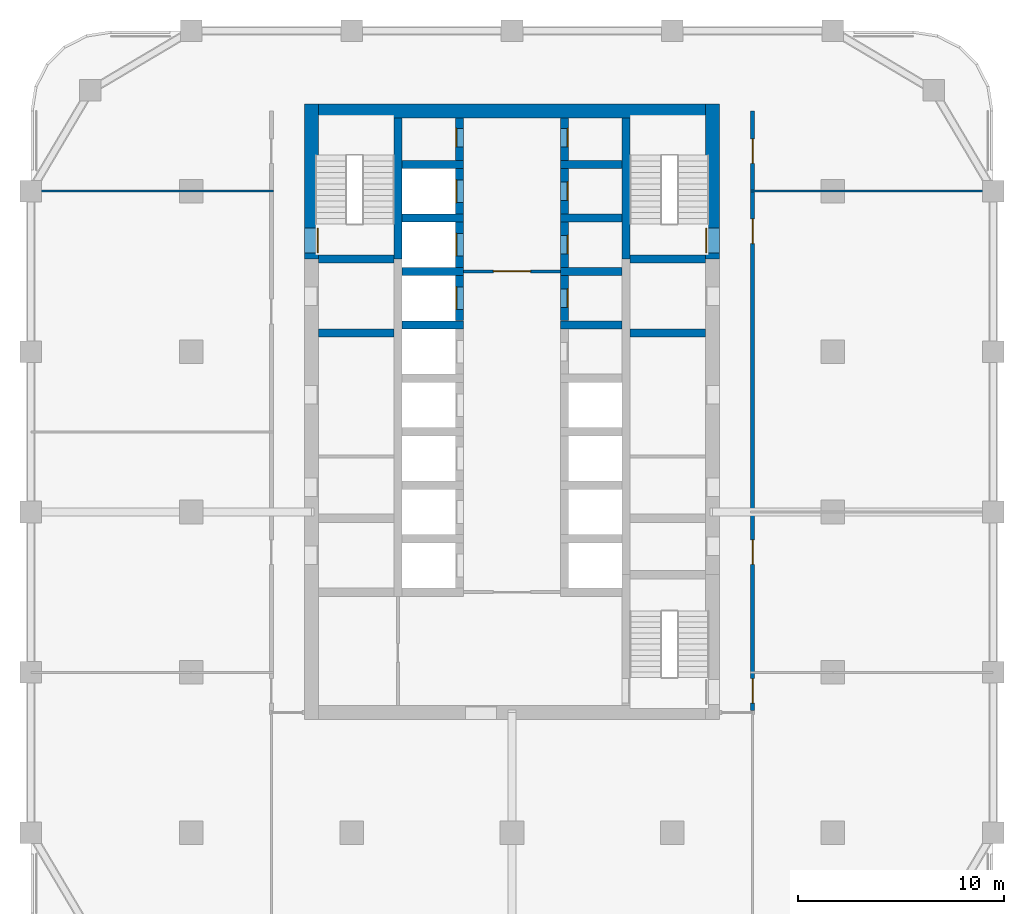
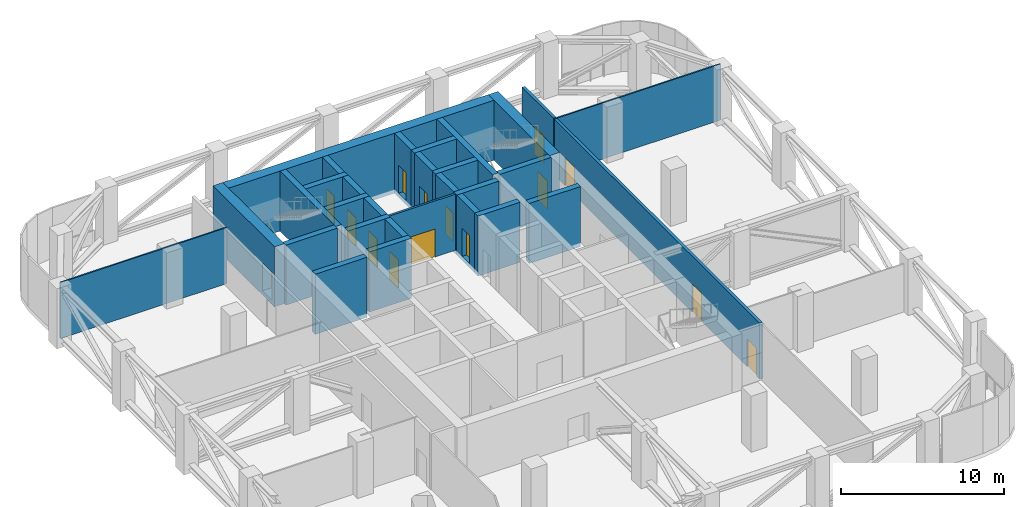
# One storey, part 4 of 8: 29 walls, 15 doors, 15 openings.
"""IFC4 building model written with IfcOpenShell, lengths in metres."""

from ifc_helpers import new_model, si_unit, direction, frame, frame_2d, origin, place, context, subcontext, project, spatial, rectangle, extrude, material, layer, layer_set, type_object, element, fill, save


model = new_model("IFC4")

# Units and contexts
model_context = context("Model", 3, precision=1e-05, world=origin(), true_north=direction((0.0, 1.0)))
body_context = subcontext(model_context, "Body", "Model", "MODEL_VIEW")
ifc_project = project(units=[si_unit("LENGTHUNIT", "METRE"), si_unit("AREAUNIT", "SQUARE_METRE"), si_unit("VOLUMEUNIT", "CUBIC_METRE"), si_unit("PLANEANGLEUNIT", "RADIAN"), si_unit("MASSUNIT", "GRAM", prefix="KILO")], contexts=[model_context])

# Site, building, storey
site_placement = place(None, origin())
site = spatial("IfcSite", under=ifc_project, at=site_placement, CompositionType="ELEMENT")
building_placement = place(site_placement, origin())
building = spatial("IfcBuilding", under=site, at=building_placement, Name="Ludao Terraces", CompositionType="ELEMENT")
storey_placement = place(building_placement, frame((0.0, 0.0, 46.699951171875)))
storey = spatial("IfcBuildingStorey", under=building, at=storey_placement, Name="L12", CompositionType="ELEMENT", Elevation=46.699951171875)

# Wall, opening, door
ifc_material_1 = material(Name="Concrete C70", Category="concrete")
ifc_layer_1 = layer(ifc_material_1, 0.699951171875)
ifc_layer_set_1 = layer_set([ifc_layer_1], Name="Core wall 700 C70")
wall_type_1 = type_object("IfcWallType", Name="Core wall 700 C70", PredefinedType="SOLIDWALL", material=ifc_layer_set_1)
wall_1_placement = place(storey_placement, frame((75.25, 77.300048828125, -0.300048828125), z_axis=(0.0, 0.0, 1.0), x_axis=(0.0, 1.0, 0.0)))
wall_1 = element("IfcWall", 1, at=wall_1_placement, inside=storey, type_object=wall_type_1, Name="Core wall L12 outer-W-S1", PredefinedType="SOLIDWALL", context=body_context, shape_type="SweptSolid", body=[
    extrude(rectangle(XDim=7.550048828125, YDim=0.699951171875, at=frame_2d((3.77490234375, 0.0))), origin(), (0.0, 0.0, 1.0), 4.5),
])
opening_1_placement = place(wall_1_placement, frame((0.300048828125, 0.0, 0.300048828125)))
opening_1 = element("IfcOpeningElement", 2, at=opening_1_placement, cuts=wall_1, Name="Opening L12-032", PredefinedType="OPENING", context=body_context, shape_type="SweptSolid", body=[
    extrude(rectangle(XDim=1.199951171875, YDim=2.10009765625, at=frame_2d((0.60009765625, 1.050048828125))), frame((0.0, 0.35986328125, 0.0), z_axis=(0.0, -1.0, 0.0), x_axis=(1.0, 0.0, 0.0)), (0.0, 0.0, 1.0), 0.719970703125),
])
ifc_material_2 = material(Name="Steel Q235", Category="steel")
door_type_1 = type_object("IfcDoorType", Name="INT Stair door 1200", OperationType="DOUBLE_DOOR_SINGLE_SWING", PredefinedType="DOOR", material=ifc_material_2)
door_1_placement = place(opening_1_placement, origin())
door_1 = element("IfcDoor", 3, at=door_1_placement, inside=storey, type_object=door_type_1, Name="DOOR 032", OperationType="DOUBLE_DOOR_SINGLE_SWING", OverallHeight=2.10009765625, OverallWidth=1.199951171875, PredefinedType="DOOR", context=body_context, shape_type="SweptSolid", body=[
    extrude(rectangle(XDim=1.199951171875, YDim=2.10009765625, at=frame_2d((0.60009765625, 1.050048828125))), frame((0.0, -0.28515625, 0.0), z_axis=(0.0, -1.0, 0.0), x_axis=(1.0, 0.0, 0.0)), (0.0, 0.0, 1.0), 0.050048828125),
])
fill(opening_1, door_1)

wall_2_placement = place(storey_placement, frame((94.75, 77.300048828125, -0.300048828125), z_axis=(0.0, 0.0, 1.0), x_axis=(0.0, 1.0, 0.0)))
wall_2 = element("IfcWall", 4, at=wall_2_placement, inside=storey, type_object=wall_type_1, Name="Core wall L12 outer-E-S2", PredefinedType="SOLIDWALL", context=body_context, shape_type="SweptSolid", body=[
    extrude(rectangle(XDim=7.550048828125, YDim=0.699951171875, at=frame_2d((3.77490234375, 0.0))), origin(), (0.0, 0.0, 1.0), 4.5),
])
opening_2_placement = place(wall_2_placement, frame((0.300048828125, 0.0, 0.300048828125)))
opening_2 = element("IfcOpeningElement", 5, at=opening_2_placement, cuts=wall_2, Name="Opening L12-033", PredefinedType="OPENING", context=body_context, shape_type="SweptSolid", body=[
    extrude(rectangle(XDim=1.199951171875, YDim=2.10009765625, at=frame_2d((0.60009765625, 1.050048828125))), frame((0.0, 0.35986328125, 0.0), z_axis=(0.0, -1.0, 0.0), x_axis=(1.0, 0.0, 0.0)), (0.0, 0.0, 1.0), 0.719970703125),
])
door_2_placement = place(opening_2_placement, origin())
door_2 = element("IfcDoor", 6, at=door_2_placement, inside=storey, type_object=door_type_1, Name="DOOR 033", OperationType="DOUBLE_DOOR_SINGLE_SWING", OverallHeight=2.10009765625, OverallWidth=1.199951171875, PredefinedType="DOOR", context=body_context, shape_type="SweptSolid", body=[
    extrude(rectangle(XDim=1.199951171875, YDim=2.10009765625, at=frame_2d((0.60009765625, 1.050048828125))), frame((0.0, 0.3349609375, 0.0), z_axis=(0.0, -1.0, 0.0), x_axis=(1.0, 0.0, 0.0)), (0.0, 0.0, 1.0), 0.050048828125),
])
fill(opening_2, door_2)

# Wall
wall_3_placement = place(storey_placement, frame((75.60009765625, 84.5, -0.300048828125), z_axis=(0.0, 0.0, 1.0), x_axis=(1.0, 0.0, 0.0)))
element("IfcWall", 7, at=wall_3_placement, inside=storey, type_object=wall_type_1, Name="Core wall L12 outer-N", PredefinedType="SOLIDWALL", context=body_context, shape_type="SweptSolid", body=[
    extrude(rectangle(XDim=18.7998046875, YDim=0.699951171875, at=frame_2d((9.39990234375, 0.0))), origin(), (0.0, 0.0, 1.0), 4.5),
])

# Wall, opening, door
ifc_material_3 = material(Name="Fire-rated gypsum plasterboard", Category="gypsum")
ifc_layer_2 = layer(ifc_material_3, 0.012451171875, Category="gypsum")
ifc_material_4 = material(Name="Mineral wool")
ifc_layer_3 = layer(ifc_material_4, 0.10009765625, Name="insulation")
ifc_layer_4 = layer(ifc_material_2, 0.02490234375, Name="stud")
ifc_layer_5 = layer(ifc_material_3, 0.012451171875, Category="gypsum")
ifc_layer_set_2 = layer_set([ifc_layer_2, ifc_layer_3, ifc_layer_4, ifc_layer_5], Name="INT Core partition 150")
wall_type_2 = type_object("IfcWallType", Name="INT Core partition 150", PredefinedType="PARTITIONING", material=ifc_layer_set_2)
wall_4_placement = place(storey_placement, frame((82.650146484375, 76.699951171875, 0.0), z_axis=(0.0, 0.0, 1.0), x_axis=(1.0, 0.0, 0.0)))
wall_4 = element("IfcWall", 8, at=wall_4_placement, inside=storey, type_object=wall_type_2, Name="PW-L12-PW009", PredefinedType="PARTITIONING", context=body_context, shape_type="SweptSolid", body=[
    extrude(rectangle(XDim=4.699951171875, YDim=0.14990234375, at=frame_2d((2.35009765625, 0.0))), origin(), (0.0, 0.0, 1.0), 4.199951171875),
])
opening_3_placement = place(wall_4_placement, frame((1.449951171875, 0.0, 0.0)))
opening_3 = element("IfcOpeningElement", 9, at=opening_3_placement, cuts=wall_4, Name="Opening L12-029", PredefinedType="OPENING", context=body_context, shape_type="SweptSolid", body=[
    extrude(rectangle(XDim=1.800048828125, YDim=2.10009765625, at=frame_2d((0.89990234375, 1.050048828125))), frame((0.0, 0.0849609375, 0.0), z_axis=(0.0, -1.0, 0.0), x_axis=(1.0, 0.0, 0.0)), (0.0, 0.0, 1.0), 0.169921875),
])
door_type_2 = type_object("IfcDoorType", Name="INT Fire lobby door 1800", OperationType="DOUBLE_DOOR_SINGLE_SWING", PredefinedType="DOOR", material=ifc_material_2)
door_3_placement = place(opening_3_placement, origin())
door_3 = element("IfcDoor", 10, at=door_3_placement, inside=storey, type_object=door_type_2, Name="DOOR 029", OperationType="DOUBLE_DOOR_SINGLE_SWING", OverallHeight=2.10009765625, OverallWidth=1.800048828125, PredefinedType="DOOR", context=body_context, shape_type="SweptSolid", body=[
    extrude(rectangle(XDim=1.800048828125, YDim=2.10009765625, at=frame_2d((0.89990234375, 1.050048828125))), frame((0.0, 0.02490234375, 0.0), z_axis=(0.0, -1.0, 0.0), x_axis=(1.0, 0.0, 0.0)), (0.0, 0.0, 1.0), 0.050048828125),
])
fill(opening_3, door_3)

# Wall, openings, doors
ifc_material_5 = material(Name="Autoclaved aerated concrete block B06 A3.5", Category="concrete")
ifc_layer_6 = layer(ifc_material_5, 0.199951171875)
ifc_layer_set_3 = layer_set([ifc_layer_6], Name="INT Entrance wall 200")
wall_type_3 = type_object("IfcWallType", Name="INT Entrance wall 200", PredefinedType="PARTITIONING", material=ifc_layer_set_3)
wall_5_placement = place(storey_placement, frame((96.699951171875, 55.35009765625, 0.0), z_axis=(0.0, 0.0, 1.0), x_axis=(0.0, 1.0, 0.0)))
wall_5 = element("IfcWall", 11, at=wall_5_placement, inside=storey, type_object=wall_type_3, Name="PW-L12-PW016", PredefinedType="PARTITIONING", context=body_context, shape_type="SweptSolid", body=[
    extrude(rectangle(XDim=29.14990234375, YDim=0.199951171875, at=frame_2d((14.574951171875, 0.0))), origin(), (0.0, 0.0, 1.0), 4.199951171875),
])
opening_4_placement = place(wall_5_placement, frame((0.35009765625, 0.0, 0.0)))
opening_4 = element("IfcOpeningElement", 12, at=opening_4_placement, cuts=wall_5, Name="Opening L12-007", PredefinedType="OPENING", context=body_context, shape_type="SweptSolid", body=[
    extrude(rectangle(XDim=1.199951171875, YDim=2.10009765625, at=frame_2d((0.60009765625, 1.050048828125))), frame((0.0, 0.10986328125, 0.0), z_axis=(0.0, -1.0, 0.0), x_axis=(1.0, 0.0, 0.0)), (0.0, 0.0, 1.0), 0.219970703125),
])
opening_5_placement = place(wall_5_placement, frame((7.10009765625, 0.0, 0.0)))
opening_5 = element("IfcOpeningElement", 13, at=opening_5_placement, cuts=wall_5, Name="Opening L12-013", PredefinedType="OPENING", context=body_context, shape_type="SweptSolid", body=[
    extrude(rectangle(XDim=1.199951171875, YDim=2.10009765625, at=frame_2d((0.60009765625, 1.050048828125))), frame((0.0, 0.10986328125, 0.0), z_axis=(0.0, -1.0, 0.0), x_axis=(1.0, 0.0, 0.0)), (0.0, 0.0, 1.0), 0.219970703125),
])
opening_6_placement = place(wall_5_placement, frame((22.699951171875, 0.0, 0.0)))
opening_6 = element("IfcOpeningElement", 14, at=opening_6_placement, cuts=wall_5, Name="Opening L12-034", PredefinedType="OPENING", context=body_context, shape_type="SweptSolid", body=[
    extrude(rectangle(XDim=1.199951171875, YDim=2.10009765625, at=frame_2d((0.60009765625, 1.050048828125))), frame((0.0, 0.10986328125, 0.0), z_axis=(0.0, -1.0, 0.0), x_axis=(1.0, 0.0, 0.0)), (0.0, 0.0, 1.0), 0.219970703125),
])
opening_7_placement = place(wall_5_placement, frame((26.60009765625, 0.0, 0.0)))
opening_7 = element("IfcOpeningElement", 15, at=opening_7_placement, cuts=wall_5, Name="Opening L12-038", PredefinedType="OPENING", context=body_context, shape_type="SweptSolid", body=[
    extrude(rectangle(XDim=1.199951171875, YDim=2.10009765625, at=frame_2d((0.60009765625, 1.050048828125))), frame((0.0, 0.10986328125, 0.0), z_axis=(0.0, -1.0, 0.0), x_axis=(1.0, 0.0, 0.0)), (0.0, 0.0, 1.0), 0.219970703125),
])
ifc_material_6 = material(Name="Timber door leaf", Category="wood")
door_type_3 = type_object("IfcDoorType", Name="INT Double door 1200", OperationType="DOUBLE_DOOR_SINGLE_SWING", PredefinedType="DOOR", material=ifc_material_6)
door_4_placement = place(opening_4_placement, origin())
door_4 = element("IfcDoor", 16, at=door_4_placement, inside=storey, type_object=door_type_3, Name="DOOR 007", OperationType="DOUBLE_DOOR_SINGLE_SWING", OverallHeight=2.10009765625, OverallWidth=1.199951171875, PredefinedType="DOOR", context=body_context, shape_type="SweptSolid", body=[
    extrude(rectangle(XDim=1.199951171875, YDim=2.10009765625, at=frame_2d((0.60009765625, 1.050048828125))), frame((0.0, 0.02490234375, 0.0), z_axis=(0.0, -1.0, 0.0), x_axis=(1.0, 0.0, 0.0)), (0.0, 0.0, 1.0), 0.050048828125),
])
fill(opening_4, door_4)
door_5_placement = place(opening_5_placement, origin())
door_5 = element("IfcDoor", 17, at=door_5_placement, inside=storey, type_object=door_type_3, Name="DOOR 013", OperationType="DOUBLE_DOOR_SINGLE_SWING", OverallHeight=2.10009765625, OverallWidth=1.199951171875, PredefinedType="DOOR", context=body_context, shape_type="SweptSolid", body=[
    extrude(rectangle(XDim=1.199951171875, YDim=2.10009765625, at=frame_2d((0.60009765625, 1.050048828125))), frame((0.0, 0.02490234375, 0.0), z_axis=(0.0, -1.0, 0.0), x_axis=(1.0, 0.0, 0.0)), (0.0, 0.0, 1.0), 0.050048828125),
])
fill(opening_5, door_5)
door_6_placement = place(opening_6_placement, origin())
door_6 = element("IfcDoor", 18, at=door_6_placement, inside=storey, type_object=door_type_3, Name="DOOR 034", OperationType="DOUBLE_DOOR_SINGLE_SWING", OverallHeight=2.10009765625, OverallWidth=1.199951171875, PredefinedType="DOOR", context=body_context, shape_type="SweptSolid", body=[
    extrude(rectangle(XDim=1.199951171875, YDim=2.10009765625, at=frame_2d((0.60009765625, 1.050048828125))), frame((0.0, 0.02490234375, 0.0), z_axis=(0.0, -1.0, 0.0), x_axis=(1.0, 0.0, 0.0)), (0.0, 0.0, 1.0), 0.050048828125),
])
fill(opening_6, door_6)
door_7_placement = place(opening_7_placement, origin())
door_7 = element("IfcDoor", 19, at=door_7_placement, inside=storey, type_object=door_type_3, Name="DOOR 038", OperationType="DOUBLE_DOOR_SINGLE_SWING", OverallHeight=2.10009765625, OverallWidth=1.199951171875, PredefinedType="DOOR", context=body_context, shape_type="SweptSolid", body=[
    extrude(rectangle(XDim=1.199951171875, YDim=2.10009765625, at=frame_2d((0.60009765625, 1.050048828125))), frame((0.0, 0.02490234375, 0.0), z_axis=(0.0, -1.0, 0.0), x_axis=(1.0, 0.0, 0.0)), (0.0, 0.0, 1.0), 0.050048828125),
])
fill(opening_7, door_7)

# Walls
ifc_material_7 = material(Name="Gypsum plasterboard", Category="gypsum")
ifc_layer_7 = layer(ifc_material_7, 0.012451171875, Category="gypsum")
ifc_layer_8 = layer(ifc_material_4, 0.06005859375, Name="insulation")
ifc_layer_9 = layer(ifc_material_2, 0.014892578125, Name="stud")
ifc_layer_10 = layer(ifc_material_7, 0.012451171875, Category="gypsum")
ifc_layer_set_4 = layer_set([ifc_layer_7, ifc_layer_8, ifc_layer_9, ifc_layer_10], Name="INT Partition 100")
wall_type_4 = type_object("IfcWallType", Name="INT Partition 100", PredefinedType="PARTITIONING", material=ifc_layer_set_4)
for number, where, z_axis, x_axis, name in (
    (20, (61.60009765625, 80.60009765625, 0.0), (0.0, 0.0, 1.0), (1.0, 0.0, 0.0), "PW-L12-PW010"),
    (21, (96.60009765625, 80.60009765625, 0.0), (0.0, 0.0, 1.0), (1.0, 0.0, 0.0), "PW-L12-PW011"),
):
    element("IfcWall", number, at=place(storey_placement, frame(where, z_axis=z_axis, x_axis=x_axis)), inside=storey, type_object=wall_type_4, Name=name, PredefinedType="PARTITIONING", context=body_context, shape_type="SweptSolid", body=[
        extrude(rectangle(XDim=11.800048828125, YDim=0.10009765625, at=frame_2d((5.89990234375, 0.0))), origin(), (0.0, 0.0, 1.0), 4.199951171875),
    ])
ifc_material_8 = material(Name="Concrete C60", Category="concrete")
ifc_layer_11 = layer(ifc_material_8, 0.39990234375)
ifc_layer_set_5 = layer_set([ifc_layer_11], Name="Shaft wall 400 C60")
wall_type_5 = type_object("IfcWallType", Name="Shaft wall 400 C60", PredefinedType="SOLIDWALL", material=ifc_layer_set_5)
for number, where, z_axis, x_axis, name in (
    (22, (79.449951171875, 77.300048828125, -0.300048828125), (0.0, 0.0, 1.0), (0.0, 1.0, 0.0), "Core wall L12 back-W-S1"),
    (23, (90.550048828125, 77.300048828125, -0.300048828125), (0.0, 0.0, 1.0), (0.0, 1.0, 0.0), "Core wall L12 back-E-S2"),
):
    element("IfcWall", number, at=place(storey_placement, frame(where, z_axis=z_axis, x_axis=x_axis)), inside=storey, type_object=wall_type_5, Name=name, PredefinedType="SOLIDWALL", context=body_context, shape_type="SweptSolid", body=[
        extrude(rectangle(XDim=6.849853515625, YDim=0.39990234375, at=frame_2d((3.4248046875, 0.0))), origin(), (0.0, 0.0, 1.0), 4.5),
    ])
wall_6_placement = place(storey_placement, frame((79.64990234375, 74.10009765625, -0.300048828125), z_axis=(0.0, 0.0, 1.0), x_axis=(1.0, 0.0, 0.0)))
element("IfcWall", 24, at=wall_6_placement, inside=storey, type_object=wall_type_5, Name="Core wall L12 div-W6", PredefinedType="SOLIDWALL", context=body_context, shape_type="SweptSolid", body=[
    extrude(rectangle(XDim=3.0, YDim=0.39990234375, at=frame_2d((1.5, 0.0))), origin(), (0.0, 0.0, 1.0), 4.5),
])

# Wall, opening, door
wall_7_placement = place(storey_placement, frame((82.449951171875, 74.300048828125, -0.300048828125), z_axis=(0.0, 0.0, 1.0), x_axis=(0.0, 1.0, 0.0)))
wall_7 = element("IfcWall", 25, at=wall_7_placement, inside=storey, type_object=wall_type_5, Name="Core wall L12 front-W6", PredefinedType="SOLIDWALL", context=body_context, shape_type="SweptSolid", body=[
    extrude(rectangle(XDim=2.199951171875, YDim=0.39990234375, at=frame_2d((1.10009765625, 0.0))), origin(), (0.0, 0.0, 1.0), 4.5),
])
opening_8_placement = place(wall_7_placement, frame((0.550048828125, 0.0, 0.300048828125)))
opening_8 = element("IfcOpeningElement", 26, at=opening_8_placement, cuts=wall_7, Name="Opening LD-LA6", PredefinedType="OPENING", context=body_context, shape_type="SweptSolid", body=[
    extrude(rectangle(XDim=1.10009765625, YDim=2.10009765625, at=frame_2d((0.550048828125, 1.050048828125))), frame((0.0, 0.2099609375, 0.0), z_axis=(0.0, -1.0, 0.0), x_axis=(1.0, 0.0, 0.0)), (0.0, 0.0, 1.0), 0.419921875),
])
ifc_material_9 = material(Name="Stainless steel 304", Category="steel")
door_type_4 = type_object("IfcDoorType", Name="INT Lift landing door 1100", OperationType="SLIDING_TO_LEFT", PredefinedType="DOOR", material=ifc_material_9)
door_8_placement = place(opening_8_placement, origin())
door_8 = element("IfcDoor", 27, at=door_8_placement, inside=storey, type_object=door_type_4, Name="LANDING DOOR LA6 L12", OperationType="SLIDING_TO_LEFT", OverallHeight=2.10009765625, OverallWidth=1.10009765625, PredefinedType="DOOR", context=body_context, shape_type="SweptSolid", body=[
    extrude(rectangle(XDim=1.10009765625, YDim=2.10009765625, at=frame_2d((0.550048828125, 1.050048828125))), frame((0.0, 0.18505859375, 0.0), z_axis=(0.0, -1.0, 0.0), x_axis=(1.0, 0.0, 0.0)), (0.0, 0.0, 1.0), 0.050048828125),
])
fill(opening_8, door_8)

# Wall
wall_8_placement = place(storey_placement, frame((79.64990234375, 76.699951171875, -0.300048828125), z_axis=(0.0, 0.0, 1.0), x_axis=(1.0, 0.0, 0.0)))
element("IfcWall", 28, at=wall_8_placement, inside=storey, type_object=wall_type_5, Name="Core wall L12 div-W7", PredefinedType="SOLIDWALL", context=body_context, shape_type="SweptSolid", body=[
    extrude(rectangle(XDim=3.0, YDim=0.39990234375, at=frame_2d((1.5, 0.0))), origin(), (0.0, 0.0, 1.0), 4.5),
])

# Wall, opening, door
wall_9_placement = place(storey_placement, frame((82.449951171875, 76.89990234375, -0.300048828125), z_axis=(0.0, 0.0, 1.0), x_axis=(0.0, 1.0, 0.0)))
wall_9 = element("IfcWall", 29, at=wall_9_placement, inside=storey, type_object=wall_type_5, Name="Core wall L12 front-W7", PredefinedType="SOLIDWALL", context=body_context, shape_type="SweptSolid", body=[
    extrude(rectangle(XDim=2.2001953125, YDim=0.39990234375, at=frame_2d((1.10009765625, 0.0))), origin(), (0.0, 0.0, 1.0), 4.5),
])
opening_9_placement = place(wall_9_placement, frame((0.550048828125, 0.0, 0.300048828125)))
opening_9 = element("IfcOpeningElement", 30, at=opening_9_placement, cuts=wall_9, Name="Opening LD-FF1", PredefinedType="OPENING", context=body_context, shape_type="SweptSolid", body=[
    extrude(rectangle(XDim=1.10009765625, YDim=2.10009765625, at=frame_2d((0.550048828125, 1.050048828125))), frame((0.0, 0.2099609375, 0.0), z_axis=(0.0, -1.0, 0.0), x_axis=(1.0, 0.0, 0.0)), (0.0, 0.0, 1.0), 0.419921875),
])
door_9_placement = place(opening_9_placement, origin())
door_9 = element("IfcDoor", 31, at=door_9_placement, inside=storey, type_object=door_type_4, Name="LANDING DOOR FF1 L12", OperationType="SLIDING_TO_LEFT", OverallHeight=2.10009765625, OverallWidth=1.10009765625, PredefinedType="DOOR", context=body_context, shape_type="SweptSolid", body=[
    extrude(rectangle(XDim=1.10009765625, YDim=2.10009765625, at=frame_2d((0.550048828125, 1.050048828125))), frame((0.0, 0.18505859375, 0.0), z_axis=(0.0, -1.0, 0.0), x_axis=(1.0, 0.0, 0.0)), (0.0, 0.0, 1.0), 0.050048828125),
])
fill(opening_9, door_9)

# Wall
wall_10_placement = place(storey_placement, frame((79.64990234375, 79.300048828125, -0.300048828125), z_axis=(0.0, 0.0, 1.0), x_axis=(1.0, 0.0, 0.0)))
element("IfcWall", 32, at=wall_10_placement, inside=storey, type_object=wall_type_5, Name="Core wall L12 div-W8", PredefinedType="SOLIDWALL", context=body_context, shape_type="SweptSolid", body=[
    extrude(rectangle(XDim=3.0, YDim=0.39990234375, at=frame_2d((1.5, 0.0))), origin(), (0.0, 0.0, 1.0), 4.5),
])

# Wall, opening, door
wall_11_placement = place(storey_placement, frame((82.449951171875, 79.5, -0.300048828125), z_axis=(0.0, 0.0, 1.0), x_axis=(0.0, 1.0, 0.0)))
wall_11 = element("IfcWall", 33, at=wall_11_placement, inside=storey, type_object=wall_type_5, Name="Core wall L12 front-W8", PredefinedType="SOLIDWALL", context=body_context, shape_type="SweptSolid", body=[
    extrude(rectangle(XDim=2.199951171875, YDim=0.39990234375, at=frame_2d((1.10009765625, 0.0))), origin(), (0.0, 0.0, 1.0), 4.5),
])
opening_10_placement = place(wall_11_placement, frame((0.550048828125, 0.0, 0.300048828125)))
opening_10 = element("IfcOpeningElement", 34, at=opening_10_placement, cuts=wall_11, Name="Opening LD-FF2", PredefinedType="OPENING", context=body_context, shape_type="SweptSolid", body=[
    extrude(rectangle(XDim=1.10009765625, YDim=2.10009765625, at=frame_2d((0.550048828125, 1.050048828125))), frame((0.0, 0.2099609375, 0.0), z_axis=(0.0, -1.0, 0.0), x_axis=(1.0, 0.0, 0.0)), (0.0, 0.0, 1.0), 0.419921875),
])
door_10_placement = place(opening_10_placement, origin())
door_10 = element("IfcDoor", 35, at=door_10_placement, inside=storey, type_object=door_type_4, Name="LANDING DOOR FF2 L12", OperationType="SLIDING_TO_LEFT", OverallHeight=2.10009765625, OverallWidth=1.10009765625, PredefinedType="DOOR", context=body_context, shape_type="SweptSolid", body=[
    extrude(rectangle(XDim=1.10009765625, YDim=2.10009765625, at=frame_2d((0.550048828125, 1.050048828125))), frame((0.0, 0.18505859375, 0.0), z_axis=(0.0, -1.0, 0.0), x_axis=(1.0, 0.0, 0.0)), (0.0, 0.0, 1.0), 0.050048828125),
])
fill(opening_10, door_10)

# Wall
wall_12_placement = place(storey_placement, frame((79.64990234375, 81.89990234375, -0.300048828125), z_axis=(0.0, 0.0, 1.0), x_axis=(1.0, 0.0, 0.0)))
element("IfcWall", 36, at=wall_12_placement, inside=storey, type_object=wall_type_5, Name="Core wall L12 div-W9", PredefinedType="SOLIDWALL", context=body_context, shape_type="SweptSolid", body=[
    extrude(rectangle(XDim=3.0, YDim=0.39990234375, at=frame_2d((1.5, 0.0))), origin(), (0.0, 0.0, 1.0), 4.5),
])

# Wall, opening, door
wall_13_placement = place(storey_placement, frame((82.449951171875, 82.10009765625, -0.300048828125), z_axis=(0.0, 0.0, 1.0), x_axis=(0.0, 1.0, 0.0)))
wall_13 = element("IfcWall", 37, at=wall_13_placement, inside=storey, type_object=wall_type_5, Name="Core wall L12 front-W9", PredefinedType="SOLIDWALL", context=body_context, shape_type="SweptSolid", body=[
    extrude(rectangle(XDim=2.0498046875, YDim=0.39990234375, at=frame_2d((1.02490234375, 0.0))), origin(), (0.0, 0.0, 1.0), 4.5),
])
opening_11_placement = place(wall_13_placement, frame((0.64990234375, 0.0, 0.300048828125)))
opening_11 = element("IfcOpeningElement", 38, at=opening_11_placement, cuts=wall_13, Name="Opening L12-039", PredefinedType="OPENING", context=body_context, shape_type="SweptSolid", body=[
    extrude(rectangle(XDim=0.89990234375, YDim=2.10009765625, at=frame_2d((0.449951171875, 1.050048828125))), frame((0.0, 0.2099609375, 0.0), z_axis=(0.0, -1.0, 0.0), x_axis=(1.0, 0.0, 0.0)), (0.0, 0.0, 1.0), 0.419921875),
])
door_type_5 = type_object("IfcDoorType", Name="INT Room door 900", OperationType="SINGLE_SWING_LEFT", PredefinedType="DOOR", material=ifc_material_6)
door_11_placement = place(opening_11_placement, origin())
door_11 = element("IfcDoor", 39, at=door_11_placement, inside=storey, type_object=door_type_5, Name="DOOR 039", OperationType="SINGLE_SWING_RIGHT", OverallHeight=2.10009765625, OverallWidth=0.89990234375, PredefinedType="DOOR", context=body_context, shape_type="SweptSolid", body=[
    extrude(rectangle(XDim=0.89990234375, YDim=2.10009765625, at=frame_2d((0.449951171875, 1.050048828125))), frame((0.0, 0.18505859375, 0.0), z_axis=(0.0, -1.0, 0.0), x_axis=(1.0, 0.0, 0.0)), (0.0, 0.0, 1.0), 0.050048828125),
])
fill(opening_11, door_11)

# Wall
wall_14_placement = place(storey_placement, frame((87.35009765625, 74.10009765625, -0.300048828125), z_axis=(0.0, 0.0, 1.0), x_axis=(1.0, 0.0, 0.0)))
element("IfcWall", 40, at=wall_14_placement, inside=storey, type_object=wall_type_5, Name="Core wall L12 div-E6", PredefinedType="SOLIDWALL", context=body_context, shape_type="SweptSolid", body=[
    extrude(rectangle(XDim=3.0, YDim=0.39990234375, at=frame_2d((1.5, 0.0))), origin(), (0.0, 0.0, 1.0), 4.5),
])

# Wall, opening, door
wall_15_placement = place(storey_placement, frame((87.550048828125, 74.300048828125, -0.300048828125), z_axis=(0.0, 0.0, 1.0), x_axis=(0.0, 1.0, 0.0)))
wall_15 = element("IfcWall", 41, at=wall_15_placement, inside=storey, type_object=wall_type_5, Name="Core wall L12 front-E6", PredefinedType="SOLIDWALL", context=body_context, shape_type="SweptSolid", body=[
    extrude(rectangle(XDim=2.199951171875, YDim=0.39990234375, at=frame_2d((1.10009765625, 0.0))), origin(), (0.0, 0.0, 1.0), 4.5),
])
opening_12_placement = place(wall_15_placement, frame((0.64990234375, 0.0, 0.300048828125)))
opening_12 = element("IfcOpeningElement", 42, at=opening_12_placement, cuts=wall_15, Name="Opening L12-026", PredefinedType="OPENING", context=body_context, shape_type="SweptSolid", body=[
    extrude(rectangle(XDim=0.89990234375, YDim=2.10009765625, at=frame_2d((0.449951171875, 1.050048828125))), frame((0.0, 0.2099609375, 0.0), z_axis=(0.0, -1.0, 0.0), x_axis=(1.0, 0.0, 0.0)), (0.0, 0.0, 1.0), 0.419921875),
])
door_12_placement = place(opening_12_placement, origin())
door_12 = element("IfcDoor", 43, at=door_12_placement, inside=storey, type_object=door_type_5, Name="DOOR 026", OperationType="SINGLE_SWING_LEFT", OverallHeight=2.10009765625, OverallWidth=0.89990234375, PredefinedType="DOOR", context=body_context, shape_type="SweptSolid", body=[
    extrude(rectangle(XDim=0.89990234375, YDim=2.10009765625, at=frame_2d((0.449951171875, 1.050048828125))), frame((0.0, -0.134765625, 0.0), z_axis=(0.0, -1.0, 0.0), x_axis=(1.0, 0.0, 0.0)), (0.0, 0.0, 1.0), 0.050048828125),
])
fill(opening_12, door_12)

# Wall
wall_16_placement = place(storey_placement, frame((87.35009765625, 76.699951171875, -0.300048828125), z_axis=(0.0, 0.0, 1.0), x_axis=(1.0, 0.0, 0.0)))
element("IfcWall", 44, at=wall_16_placement, inside=storey, type_object=wall_type_5, Name="Core wall L12 div-E7", PredefinedType="SOLIDWALL", context=body_context, shape_type="SweptSolid", body=[
    extrude(rectangle(XDim=3.0, YDim=0.39990234375, at=frame_2d((1.5, 0.0))), origin(), (0.0, 0.0, 1.0), 4.5),
])

# Wall, opening, door
wall_17_placement = place(storey_placement, frame((87.550048828125, 76.89990234375, -0.300048828125), z_axis=(0.0, 0.0, 1.0), x_axis=(0.0, 1.0, 0.0)))
wall_17 = element("IfcWall", 45, at=wall_17_placement, inside=storey, type_object=wall_type_5, Name="Core wall L12 front-E7", PredefinedType="SOLIDWALL", context=body_context, shape_type="SweptSolid", body=[
    extrude(rectangle(XDim=2.2001953125, YDim=0.39990234375, at=frame_2d((1.10009765625, 0.0))), origin(), (0.0, 0.0, 1.0), 4.5),
])
opening_13_placement = place(wall_17_placement, frame((0.64990234375, 0.0, 0.300048828125)))
opening_13 = element("IfcOpeningElement", 46, at=opening_13_placement, cuts=wall_17, Name="Opening L12-031", PredefinedType="OPENING", context=body_context, shape_type="SweptSolid", body=[
    extrude(rectangle(XDim=0.89990234375, YDim=2.10009765625, at=frame_2d((0.449951171875, 1.050048828125))), frame((0.0, 0.2099609375, 0.0), z_axis=(0.0, -1.0, 0.0), x_axis=(1.0, 0.0, 0.0)), (0.0, 0.0, 1.0), 0.419921875),
])
door_13_placement = place(opening_13_placement, origin())
door_13 = element("IfcDoor", 47, at=door_13_placement, inside=storey, type_object=door_type_5, Name="DOOR 031", OperationType="SINGLE_SWING_RIGHT", OverallHeight=2.10009765625, OverallWidth=0.89990234375, PredefinedType="DOOR", context=body_context, shape_type="SweptSolid", body=[
    extrude(rectangle(XDim=0.89990234375, YDim=2.10009765625, at=frame_2d((0.449951171875, 1.050048828125))), frame((0.0, -0.134765625, 0.0), z_axis=(0.0, -1.0, 0.0), x_axis=(1.0, 0.0, 0.0)), (0.0, 0.0, 1.0), 0.050048828125),
])
fill(opening_13, door_13)

# Wall
wall_18_placement = place(storey_placement, frame((87.35009765625, 79.300048828125, -0.300048828125), z_axis=(0.0, 0.0, 1.0), x_axis=(1.0, 0.0, 0.0)))
element("IfcWall", 48, at=wall_18_placement, inside=storey, type_object=wall_type_5, Name="Core wall L12 div-E8", PredefinedType="SOLIDWALL", context=body_context, shape_type="SweptSolid", body=[
    extrude(rectangle(XDim=3.0, YDim=0.39990234375, at=frame_2d((1.5, 0.0))), origin(), (0.0, 0.0, 1.0), 4.5),
])

# Wall, opening, door
wall_19_placement = place(storey_placement, frame((87.550048828125, 79.5, -0.300048828125), z_axis=(0.0, 0.0, 1.0), x_axis=(0.0, 1.0, 0.0)))
wall_19 = element("IfcWall", 49, at=wall_19_placement, inside=storey, type_object=wall_type_5, Name="Core wall L12 front-E8", PredefinedType="SOLIDWALL", context=body_context, shape_type="SweptSolid", body=[
    extrude(rectangle(XDim=2.199951171875, YDim=0.39990234375, at=frame_2d((1.10009765625, 0.0))), origin(), (0.0, 0.0, 1.0), 4.5),
])
opening_14_placement = place(wall_19_placement, frame((0.64990234375, 0.0, 0.300048828125)))
opening_14 = element("IfcOpeningElement", 50, at=opening_14_placement, cuts=wall_19, Name="Opening L12-036", PredefinedType="OPENING", context=body_context, shape_type="SweptSolid", body=[
    extrude(rectangle(XDim=0.89990234375, YDim=2.10009765625, at=frame_2d((0.449951171875, 1.050048828125))), frame((0.0, 0.2099609375, 0.0), z_axis=(0.0, -1.0, 0.0), x_axis=(1.0, 0.0, 0.0)), (0.0, 0.0, 1.0), 0.419921875),
])
door_14_placement = place(opening_14_placement, origin())
door_14 = element("IfcDoor", 51, at=door_14_placement, inside=storey, type_object=door_type_5, Name="DOOR 036", OperationType="SINGLE_SWING_RIGHT", OverallHeight=2.10009765625, OverallWidth=0.89990234375, PredefinedType="DOOR", context=body_context, shape_type="SweptSolid", body=[
    extrude(rectangle(XDim=0.89990234375, YDim=2.10009765625, at=frame_2d((0.449951171875, 1.050048828125))), frame((0.0, -0.134765625, 0.0), z_axis=(0.0, -1.0, 0.0), x_axis=(1.0, 0.0, 0.0)), (0.0, 0.0, 1.0), 0.050048828125),
])
fill(opening_14, door_14)

# Wall
wall_20_placement = place(storey_placement, frame((87.35009765625, 81.89990234375, -0.300048828125), z_axis=(0.0, 0.0, 1.0), x_axis=(1.0, 0.0, 0.0)))
element("IfcWall", 52, at=wall_20_placement, inside=storey, type_object=wall_type_5, Name="Core wall L12 div-E9", PredefinedType="SOLIDWALL", context=body_context, shape_type="SweptSolid", body=[
    extrude(rectangle(XDim=3.0, YDim=0.39990234375, at=frame_2d((1.5, 0.0))), origin(), (0.0, 0.0, 1.0), 4.5),
])

# Wall, opening, door
wall_21_placement = place(storey_placement, frame((87.550048828125, 82.10009765625, -0.300048828125), z_axis=(0.0, 0.0, 1.0), x_axis=(0.0, 1.0, 0.0)))
wall_21 = element("IfcWall", 53, at=wall_21_placement, inside=storey, type_object=wall_type_5, Name="Core wall L12 front-E9", PredefinedType="SOLIDWALL", context=body_context, shape_type="SweptSolid", body=[
    extrude(rectangle(XDim=2.0498046875, YDim=0.39990234375, at=frame_2d((1.02490234375, 0.0))), origin(), (0.0, 0.0, 1.0), 4.5),
])
opening_15_placement = place(wall_21_placement, frame((0.64990234375, 0.0, 0.300048828125)))
opening_15 = element("IfcOpeningElement", 54, at=opening_15_placement, cuts=wall_21, Name="Opening L12-040", PredefinedType="OPENING", context=body_context, shape_type="SweptSolid", body=[
    extrude(rectangle(XDim=0.89990234375, YDim=2.10009765625, at=frame_2d((0.449951171875, 1.050048828125))), frame((0.0, 0.2099609375, 0.0), z_axis=(0.0, -1.0, 0.0), x_axis=(1.0, 0.0, 0.0)), (0.0, 0.0, 1.0), 0.419921875),
])
door_15_placement = place(opening_15_placement, origin())
door_15 = element("IfcDoor", 55, at=door_15_placement, inside=storey, type_object=door_type_5, Name="DOOR 040", OperationType="SINGLE_SWING_LEFT", OverallHeight=2.10009765625, OverallWidth=0.89990234375, PredefinedType="DOOR", context=body_context, shape_type="SweptSolid", body=[
    extrude(rectangle(XDim=0.89990234375, YDim=2.10009765625, at=frame_2d((0.449951171875, 1.050048828125))), frame((0.0, -0.134765625, 0.0), z_axis=(0.0, -1.0, 0.0), x_axis=(1.0, 0.0, 0.0)), (0.0, 0.0, 1.0), 0.050048828125),
])
fill(opening_15, door_15)

# Walls
for number, where, z_axis, x_axis, name in (
    (56, (75.60009765625, 73.699951171875, -0.300048828125), (0.0, 0.0, 1.0), (1.0, 0.0, 0.0), "Core wall L12 riser-b-W"),
    (57, (75.60009765625, 77.300048828125, -0.300048828125), (0.0, 0.0, 1.0), (1.0, 0.0, 0.0), "Core wall L12 stair-W"),
    (58, (90.75, 73.699951171875, -0.300048828125), (0.0, 0.0, 1.0), (1.0, 0.0, 0.0), "Core wall L12 riser-b-E"),
    (59, (90.75, 77.300048828125, -0.300048828125), (0.0, 0.0, 1.0), (1.0, 0.0, 0.0), "Core wall L12 stair-E"),
):
    element("IfcWall", number, at=place(storey_placement, frame(where, z_axis=z_axis, x_axis=x_axis)), inside=storey, type_object=wall_type_5, Name=name, PredefinedType="SOLIDWALL", context=body_context, shape_type="SweptSolid", body=[
        extrude(rectangle(XDim=3.64990234375, YDim=0.39990234375, at=frame_2d((1.824951171875, 0.0))), origin(), (0.0, 0.0, 1.0), 4.5),
    ])

save(model, "model.ifc")
